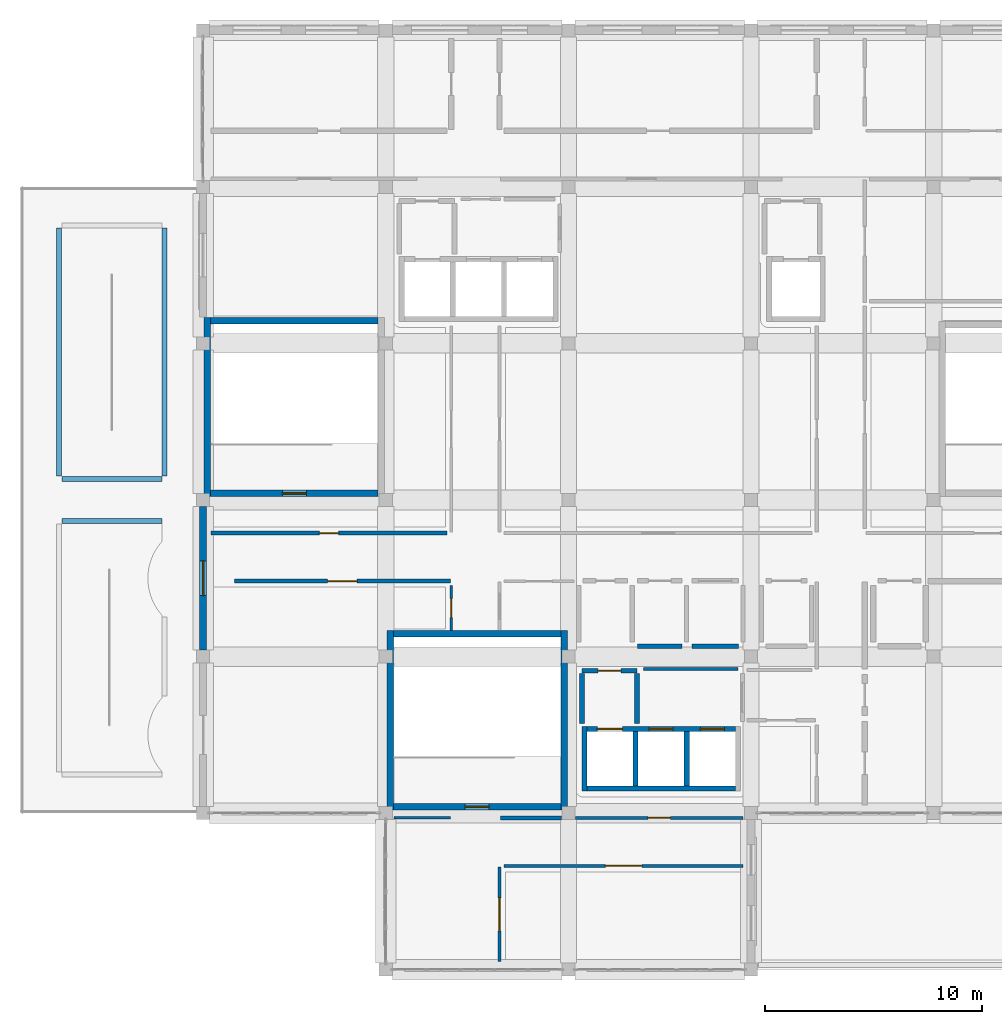
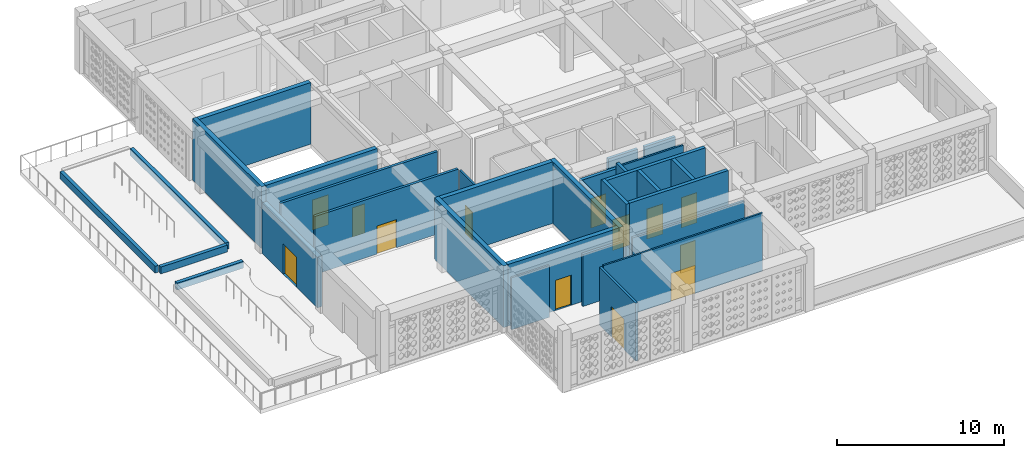
# One storey, part 12 of 28: 31 walls, 13 doors, 13 openings.
"""IFC4 building model written with IfcOpenShell, lengths in metres."""

import ifcopenshell
import ifcopenshell.guid

model = None  # the IFC model being written
_history = None  # IfcOwnerHistory: only IFC2X3 demands one
_inside = {}  # id of a spatial element -> (the spatial element, [elements in it])
_under = {}  # id of a project, library or spatial element -> (it, [spatial elements below it])
_declared = {}  # id of a project -> (the project, [libraries it declares])
_typed = {}  # id of a type object -> (the type object, [elements of that type])
_made_of = {}  # id of a material, layer set ... -> (it, [elements and type objects made of it])


def new_model(schema):
    """Start an empty IFC model of exactly this schema.

    Asked for "IFC4X3", IfcOpenShell would pick the latest addendum, in which some entities
    have other attributes; the version numbers below select the first issue.
    IFC2X3 requires an IfcOwnerHistory on every rooted entity: one is made here for all.
    """
    global model, _history
    if schema == "IFC4X3":
        model = ifcopenshell.file(schema_version=(4, 3, 0, 0))
    else:
        model = ifcopenshell.file(schema=schema)
    _inside.clear()
    _under.clear()
    _declared.clear()
    _typed.clear()
    _made_of.clear()
    _history = None
    if model.schema == "IFC2X3":
        org = make("IfcOrganization", Name="unknown")
        user = make(
            "IfcPersonAndOrganization",
            ThePerson=make("IfcPerson", FamilyName="unknown"),
            TheOrganization=org,
        )
        app = make(
            "IfcApplication",
            ApplicationDeveloper=org,
            Version="unknown",
            ApplicationFullName="unknown",
            ApplicationIdentifier="unknown",
        )
        _history = make(
            "IfcOwnerHistory",
            OwningUser=user,
            OwningApplication=app,
            ChangeAction="ADDED",
            CreationDate=0,
        )
    return model


def make(cls, **values):
    """One entity of the class cls with the attributes given. An attribute that is None is left unset."""
    return model.create_entity(
        cls, **{name: value for name, value in values.items() if value is not None}
    )


def rooted(cls, **values):
    """An entity with a GlobalId (a new one), such as an element, a storey or a relation."""
    return make(cls, GlobalId=ifcopenshell.guid.new(), OwnerHistory=_history, **values)


def si_unit(unit_type, name, prefix=None):
    """IfcSIUnit, for example si_unit("LENGTHUNIT", "METRE", prefix="MILLI")."""
    return make("IfcSIUnit", UnitType=unit_type, Prefix=prefix, Name=name)


def derived_unit(unit_type, elements):
    """IfcDerivedUnit: a product of units, each with its exponent."""
    return make(
        "IfcDerivedUnit",
        Elements=[
            make("IfcDerivedUnitElement", Unit=unit, Exponent=power)
            for unit, power in elements
        ],
        UnitType=unit_type,
    )


def assignment(units):
    """IfcUnitAssignment: the units of a project."""
    return None if units is None else make("IfcUnitAssignment", Units=units)


def point(xyz):
    """IfcCartesianPoint."""
    return None if xyz is None else make("IfcCartesianPoint", Coordinates=xyz)


def direction(xyz):
    """IfcDirection."""
    return None if xyz is None else make("IfcDirection", DirectionRatios=xyz)


def frame(location, z_axis=None, x_axis=None):
    """IfcAxis2Placement3D, a coordinate frame: its origin and axes. An axis left out is left unset."""
    return make(
        "IfcAxis2Placement3D",
        Location=point(location),
        Axis=direction(z_axis),
        RefDirection=direction(x_axis),
    )


def frame_2d(location, x_axis=None):
    """IfcAxis2Placement2D, a coordinate frame in the plane: its origin and x axis."""
    return make(
        "IfcAxis2Placement2D", Location=point(location), RefDirection=direction(x_axis)
    )


def origin():
    """The frame at (0, 0, 0) with its axes left unset."""
    return frame((0.0, 0.0, 0.0))


def place(relative_to, where):
    """IfcLocalPlacement: puts the frame where relative to a parent placement (None: the world)."""
    return make(
        "IfcLocalPlacement", PlacementRelTo=relative_to, RelativePlacement=where
    )


def context(
    kind, dimensions, precision=None, world=None, true_north=None, identifier=None
):
    """IfcGeometricRepresentationContext, for example the 3D "Model" context."""
    return make(
        "IfcGeometricRepresentationContext",
        ContextIdentifier=identifier,
        ContextType=kind,
        CoordinateSpaceDimension=dimensions,
        Precision=precision,
        WorldCoordinateSystem=world,
        TrueNorth=true_north,
    )


def subcontext(parent, identifier, kind, view, scale=None):
    """IfcGeometricRepresentationSubContext, for example "Body" below "Model"."""
    return make(
        "IfcGeometricRepresentationSubContext",
        ContextIdentifier=identifier,
        ContextType=kind,
        ParentContext=parent,
        TargetScale=scale,
        TargetView=view,
    )


def project(units=None, contexts=None):
    """IfcProject with its units and contexts."""
    return rooted(
        "IfcProject",
        Name="project",
        RepresentationContexts=contexts,
        UnitsInContext=assignment(units),
    )


def spatial(cls, under=None, at=None, **own):
    """A site, building, storey or space (cls), placed at a placement, below another one or the project."""
    s = rooted(cls, ObjectPlacement=at, **own)
    if under is not None:
        _under.setdefault(under.id(), (under, []))[1].append(s)
    return s


def profile(cls, at=None, kind="AREA", **sizes):
    """A parametric profile (cls). Its sizes go by their IFC names, for example OverallWidth=200.0."""
    return make(cls, ProfileType=kind, Position=at, **sizes)


def rectangle(**sizes):
    """IfcRectangleProfileDef."""
    return profile("IfcRectangleProfileDef", **sizes)


def extrude(swept, where, along, depth):
    """IfcExtrudedAreaSolid: the profile swept, set in the frame where, extruded along a direction by depth."""
    return make(
        "IfcExtrudedAreaSolid",
        SweptArea=swept,
        Position=where,
        ExtrudedDirection=direction(along),
        Depth=depth,
    )


def shape(context_of_items, identifier, shape_type, items):
    """IfcShapeRepresentation: the items that make up one representation, for example the "Body"."""
    return make(
        "IfcShapeRepresentation",
        ContextOfItems=context_of_items,
        RepresentationIdentifier=identifier,
        RepresentationType=shape_type,
        Items=items,
    )


def material(Name=None, Category=None):
    """IfcMaterial."""
    return make("IfcMaterial", Name=Name, Category=Category)


def layer(
    of_material, thickness, ventilated=None, Name=None, Category=None, Priority=None
):
    """IfcMaterialLayer: one layer of a wall or slab, of a material (None: an air gap)."""
    return make(
        "IfcMaterialLayer",
        Material=of_material,
        LayerThickness=thickness,
        IsVentilated=ventilated,
        Name=Name,
        Category=Category,
        Priority=Priority,
    )


def layer_set(layers, Name=None):
    """IfcMaterialLayerSet."""
    return make("IfcMaterialLayerSet", MaterialLayers=layers, LayerSetName=Name)


def made_of(thing, what):
    """Note that an element or type object is made of a material, layer set ...; save() writes the relation."""
    if what is not None:
        _made_of.setdefault(what.id(), (what, []))[1].append(thing)
    return thing


def type_object(cls, material=None, **own):
    """A type object (cls), such as IfcWallType, which elements share."""
    return made_of(rooted(cls, **own), material)


def element(
    cls,
    number,
    at=None,
    inside=None,
    cuts=None,
    type_object=None,
    material=None,
    context=None,
    identifier="Body",
    shape_type=None,
    held_by="IfcProductDefinitionShape",
    body=None,
    shapes=None,
    **own,
):
    """One element of the class cls, such as IfcWall. Its Tag is "e" and its number.

    at: its placement. inside: the storey or other place that contains it. cuts: it is an
    opening in that element (IfcRelVoidsElement). A single representation is given by context,
    identifier, shape_type and body (its items); several are given by shapes. held_by: the class
    of the entity that holds the representations. save() writes the other relations.
    """
    e = rooted(cls, Tag="e%d" % number, ObjectPlacement=at, **own)
    if body is not None:
        shapes = [shape(context, identifier, shape_type, body)]
    if shapes is not None:
        e.Representation = make(held_by, Representations=shapes)
    if inside is not None:
        _inside.setdefault(inside.id(), (inside, []))[1].append(e)
    if cuts is not None:
        rooted(
            "IfcRelVoidsElement", RelatingBuildingElement=cuts, RelatedOpeningElement=e
        )
    if type_object is not None:
        _typed.setdefault(type_object.id(), (type_object, []))[1].append(e)
    return made_of(e, material)


def fill(opening, filler):
    """IfcRelFillsElement: the door or window that sits in an opening."""
    return rooted(
        "IfcRelFillsElement",
        RelatingOpeningElement=opening,
        RelatedBuildingElement=filler,
    )


def aggregate(whole, parts):
    """IfcRelAggregates: a whole, such as a stair, and the parts it consists of."""
    return rooted("IfcRelAggregates", RelatingObject=whole, RelatedObjects=parts)


def save(model, path):
    """Write the relations noted so far, then the file.

    IfcRelAggregates (storeys below a building ...), IfcRelContainedInSpatialStructure (elements
    in a storey), IfcRelDefinesByType, IfcRelAssociatesMaterial and IfcRelDeclares: one each for
    every whole, place, type object, material and project.
    """
    for whole, parts in _under.values():
        aggregate(whole, parts)
    for where, things in _inside.values():
        rooted(
            "IfcRelContainedInSpatialStructure",
            RelatedElements=things,
            RelatingStructure=where,
        )
    for kind, things in _typed.values():
        rooted("IfcRelDefinesByType", RelatedObjects=things, RelatingType=kind)
    for what, things in _made_of.values():
        rooted("IfcRelAssociatesMaterial", RelatedObjects=things, RelatingMaterial=what)
    for by, libraries in _declared.values():
        rooted("IfcRelDeclares", RelatingContext=by, RelatedDefinitions=libraries)
    model.write(path)


model = new_model("IFC4")

# Units and contexts
model_context = context("Model", 3, precision=1e-05, world=origin(), true_north=direction((0.0, 1.0)))
body_context = subcontext(model_context, "Body", "Model", "MODEL_VIEW")
ifc_project = project(units=[si_unit("LENGTHUNIT", "METRE"), si_unit("AREAUNIT", "SQUARE_METRE"), si_unit("VOLUMEUNIT", "CUBIC_METRE"), si_unit("PLANEANGLEUNIT", "RADIAN"), si_unit("MASSUNIT", "GRAM", prefix="KILO"), derived_unit("THERMALTRANSMITTANCEUNIT", [(si_unit("POWERUNIT", "WATT"), 1), (si_unit("LENGTHUNIT", "METRE"), -2), (si_unit("THERMODYNAMICTEMPERATUREUNIT", "KELVIN"), -1)])], contexts=[model_context])

# Site, building, storey
site_placement = place(None, origin())
site = spatial("IfcSite", under=ifc_project, at=site_placement, CompositionType="ELEMENT")
building_placement = place(site_placement, origin())
building = spatial("IfcBuilding", under=site, at=building_placement, Name="Veybourne Emporium", CompositionType="ELEMENT")
storey_placement = place(building_placement, frame((0.0, 0.0, 32.10009765625)))
storey = spatial("IfcBuildingStorey", under=building, at=storey_placement, Name="L07", CompositionType="ELEMENT", Elevation=32.10009765625)

# Wall, opening, door
ifc_material_1 = material(Name="Portland Limestone Ashlar", Category="masonry")
ifc_layer_1 = layer(ifc_material_1, 0.330078125)
ifc_layer_set_1 = layer_set([ifc_layer_1], Name="Portland Limestone Ashlar")
wall_type_1 = type_object("IfcWallType", Name="ExtWall_EW-04", PredefinedType="SOLIDWALL", material=ifc_layer_set_1)
wall_1_placement = place(storey_placement, frame((8.39990234375, 21.89990234375, 0.0), z_axis=(0.0, 0.0, 1.0), x_axis=(0.0, 1.0, 0.0)))
wall_1 = element("IfcWall", 1, at=wall_1_placement, inside=storey, type_object=wall_type_1, Name="L07 terrace facade wall 003", PredefinedType="SOLIDWALL", context=body_context, shape_type="SweptSolid", body=[
    extrude(rectangle(XDim=6.60009765625, YDim=0.330078125, at=frame_2d((3.300048828125, 0.0))), origin(), (0.0, 0.0, 1.0), 3.68994140625),
])
opening_1_placement = place(wall_1_placement, frame((2.5, 0.0, 0.0)))
opening_1 = element("IfcOpeningElement", 2, at=opening_1_placement, cuts=wall_1, Name="Opening TD-02", PredefinedType="OPENING", context=body_context, shape_type="SweptSolid", body=[
    extrude(rectangle(XDim=1.60009765625, YDim=2.199951171875, at=frame_2d((0.800048828125, 1.10009765625))), frame((0.0, 0.18505859375, 0.0), z_axis=(0.0, -1.0, 0.0), x_axis=(1.0, 0.0, 0.0)), (0.0, 0.0, 1.0), 0.3701171875),
])
ifc_material_2 = material(Name="Patinated Architectural Bronze", Category="bronze")
door_type_1 = type_object("IfcDoorType", Name="TerrDoor_TD-02", OperationType="NOTDEFINED", PredefinedType="DOOR", material=ifc_material_2)
door_1_placement = place(opening_1_placement, origin())
door_1 = element("IfcDoor", 3, at=door_1_placement, inside=storey, type_object=door_type_1, Name="L07 roof-garden terrace door 02", OperationType="SINGLE_SWING_LEFT", OverallHeight=2.199951171875, OverallWidth=1.60009765625, PredefinedType="DOOR", context=body_context, shape_type="SweptSolid", body=[
    extrude(rectangle(XDim=1.60009765625, YDim=2.199951171875, at=frame_2d((0.800048828125, 1.10009765625))), frame((0.0, 0.02490234375, 0.0), z_axis=(0.0, -1.0, 0.0), x_axis=(1.0, 0.0, 0.0)), (0.0, 0.0, 1.0), 0.050048828125),
])
fill(opening_1, door_1)

# Walls
ifc_material_3 = material(Name="Precast concrete C40/50", Category="concrete")
ifc_layer_2 = layer(ifc_material_3, 0.239990234375)
ifc_layer_set_2 = layer_set([ifc_layer_2], Name="Precast concrete C40/50")
wall_type_2 = type_object("IfcWallType", Name="ExtWall_PW-02", PredefinedType="PARAPET", material=ifc_layer_set_2)
wall_2_placement = place(storey_placement, frame((6.6298828125, 41.300048828125, 0.0), z_axis=(0.0, 0.0, 1.0), x_axis=(0.0, -1.0, 0.0)))
element("IfcWall", 4, at=wall_2_placement, inside=storey, type_object=wall_type_2, Name="L07 planted roof-garden kerb 001", PredefinedType="PARAPET", context=body_context, shape_type="SweptSolid", body=[
    extrude(rectangle(XDim=11.400146484375, YDim=0.239990234375, at=frame_2d((5.7001953125, 0.0))), origin(), (0.0, 0.0, 1.0), 0.5),
])
wall_3_placement = place(storey_placement, frame((6.5, 29.77001953125, 0.0), z_axis=(0.0, 0.0, 1.0), x_axis=(-1.0, 0.0, 0.0)))
element("IfcWall", 5, at=wall_3_placement, inside=storey, type_object=wall_type_2, Name="L07 planted roof-garden kerb 002", PredefinedType="PARAPET", context=body_context, shape_type="SweptSolid", body=[
    extrude(rectangle(XDim=4.60009765625, YDim=0.239990234375, at=frame_2d((2.300048828125, 0.0))), origin(), (0.0, 0.0, 1.0), 0.5),
])
wall_4_placement = place(storey_placement, frame((1.77001953125, 29.89990234375, 0.0), z_axis=(0.0, 0.0, 1.0), x_axis=(0.0, 1.0, 0.0)))
element("IfcWall", 6, at=wall_4_placement, inside=storey, type_object=wall_type_2, Name="L07 planted roof-garden kerb 003", PredefinedType="PARAPET", context=body_context, shape_type="SweptSolid", body=[
    extrude(rectangle(XDim=11.400146484375, YDim=0.239990234375, at=frame_2d((5.7001953125, 0.0))), origin(), (0.0, 0.0, 1.0), 0.5),
])
wall_5_placement = place(storey_placement, frame((1.89990234375, 27.830078125, 0.0), z_axis=(0.0, 0.0, 1.0), x_axis=(1.0, 0.0, 0.0)))
element("IfcWall", 7, at=wall_5_placement, inside=storey, type_object=wall_type_2, Name="L07 planted roof-garden kerb 007", PredefinedType="PARAPET", context=body_context, shape_type="SweptSolid", body=[
    extrude(rectangle(XDim=4.60009765625, YDim=0.239990234375, at=frame_2d((2.300048828125, 0.0))), origin(), (0.0, 0.0, 1.0), 0.5),
])

# Wall, opening, door
ifc_material_4 = material(Name="Concrete C40/50", Category="concrete")
ifc_layer_3 = layer(ifc_material_4, 0.300048828125)
ifc_layer_set_3 = layer_set([ifc_layer_3], Name="Concrete C40/50")
wall_type_3 = type_object("IfcWallType", Name="IntWall_CW-03", PredefinedType="SHEAR", material=ifc_layer_set_3)
wall_6_placement = place(storey_placement, frame((24.85009765625, 14.699951171875, 0.0), z_axis=(0.0, 0.0, 1.0), x_axis=(-1.0, 0.0, 0.0)))
wall_6 = element("IfcWall", 8, at=wall_6_placement, inside=storey, type_object=wall_type_3, Name="Core stair ST-01 south shear wall (L07)", PredefinedType="SHEAR", context=body_context, shape_type="SweptSolid", body=[
    extrude(rectangle(XDim=7.7001953125, YDim=0.300048828125, at=frame_2d((3.85009765625, 0.0))), origin(), (0.0, 0.0, 1.0), 4.5),
])
opening_2_placement = place(wall_6_placement, frame((3.300048828125, 0.0, 0.0)))
opening_2 = element("IfcOpeningElement", 9, at=opening_2_placement, cuts=wall_6, Name="Opening FD-01", PredefinedType="OPENING", context=body_context, shape_type="SweptSolid", body=[
    extrude(rectangle(XDim=1.10009765625, YDim=2.199951171875, at=frame_2d((0.550048828125, 1.10009765625))), frame((0.0, 0.169921875, 0.0), z_axis=(0.0, -1.0, 0.0), x_axis=(1.0, 0.0, 0.0)), (0.0, 0.0, 1.0), 0.340087890625),
])
door_type_2 = type_object("IfcDoorType", Name="FireDoor_FD-01", OperationType="NOTDEFINED", PredefinedType="DOOR", material=ifc_material_2)
door_2_placement = place(opening_2_placement, origin())
door_2 = element("IfcDoor", 10, at=door_2_placement, inside=storey, type_object=door_type_2, Name="Stair ST-01 fire door (L07)", OperationType="SINGLE_SWING_RIGHT", OverallHeight=2.199951171875, OverallWidth=1.10009765625, PredefinedType="DOOR", context=body_context, shape_type="SweptSolid", body=[
    extrude(rectangle(XDim=1.10009765625, YDim=2.199951171875, at=frame_2d((0.550048828125, 1.10009765625))), frame((0.0, 0.02490234375, 0.0), z_axis=(0.0, -1.0, 0.0), x_axis=(1.0, 0.0, 0.0)), (0.0, 0.0, 1.0), 0.050048828125),
])
fill(opening_2, door_2)

# Walls
wall_7_placement = place(storey_placement, frame((17.14990234375, 22.64990234375, 0.0), z_axis=(0.0, 0.0, 1.0), x_axis=(1.0, 0.0, 0.0)))
element("IfcWall", 11, at=wall_7_placement, inside=storey, type_object=wall_type_3, Name="Core stair ST-01 north shear wall (L07)", PredefinedType="SHEAR", context=body_context, shape_type="SweptSolid", body=[
    extrude(rectangle(XDim=7.7001953125, YDim=0.300048828125, at=frame_2d((3.85009765625, 0.0))), origin(), (0.0, 0.0, 1.0), 4.5),
])
for number, where, z_axis, x_axis, name in (
    (12, (17.0, 22.800048828125, 0.0), (0.0, 0.0, 1.0), (0.0, -1.0, 0.0), "Core stair ST-01 west shear wall (L07)"),
    (13, (25.0, 14.550048828125, 0.0), (0.0, 0.0, 1.0), (0.0, 1.0, 0.0), "Core stair ST-01 east shear wall (L07)"),
):
    element("IfcWall", number, at=place(storey_placement, frame(where, z_axis=z_axis, x_axis=x_axis)), inside=storey, type_object=wall_type_3, Name=name, PredefinedType="SHEAR", context=body_context, shape_type="SweptSolid", body=[
        extrude(rectangle(XDim=8.25, YDim=0.300048828125, at=frame_2d((4.125, 0.0))), origin(), (0.0, 0.0, 1.0), 4.5),
    ])

# Wall, opening, door
wall_8_placement = place(storey_placement, frame((16.449951171875, 29.10009765625, 0.0), z_axis=(0.0, 0.0, 1.0), x_axis=(-1.0, 0.0, 0.0)))
wall_8 = element("IfcWall", 14, at=wall_8_placement, inside=storey, type_object=wall_type_3, Name="Core stair ST-02 south shear wall (L07)", PredefinedType="SHEAR", context=body_context, shape_type="SweptSolid", body=[
    extrude(rectangle(XDim=7.699951171875, YDim=0.300048828125, at=frame_2d((3.85009765625, 0.0))), origin(), (0.0, 0.0, 1.0), 4.5),
])
opening_3_placement = place(wall_8_placement, frame((3.300048828125, 0.0, 0.0)))
opening_3 = element("IfcOpeningElement", 15, at=opening_3_placement, cuts=wall_8, Name="Opening FD-01", PredefinedType="OPENING", context=body_context, shape_type="SweptSolid", body=[
    extrude(rectangle(XDim=1.10009765625, YDim=2.199951171875, at=frame_2d((0.550048828125, 1.10009765625))), frame((0.0, 0.169921875, 0.0), z_axis=(0.0, -1.0, 0.0), x_axis=(1.0, 0.0, 0.0)), (0.0, 0.0, 1.0), 0.340087890625),
])
door_3_placement = place(opening_3_placement, origin())
door_3 = element("IfcDoor", 16, at=door_3_placement, inside=storey, type_object=door_type_2, Name="Stair ST-02 fire door (L07)", OperationType="SINGLE_SWING_LEFT", OverallHeight=2.199951171875, OverallWidth=1.10009765625, PredefinedType="DOOR", context=body_context, shape_type="SweptSolid", body=[
    extrude(rectangle(XDim=1.10009765625, YDim=2.199951171875, at=frame_2d((0.550048828125, 1.10009765625))), frame((0.0, 0.02490234375, 0.0), z_axis=(0.0, -1.0, 0.0), x_axis=(1.0, 0.0, 0.0)), (0.0, 0.0, 1.0), 0.050048828125),
])
fill(opening_3, door_3)

# Walls
wall_9_placement = place(storey_placement, frame((8.75, 37.050048828125, 0.0), z_axis=(0.0, 0.0, 1.0), x_axis=(1.0, 0.0, 0.0)))
element("IfcWall", 17, at=wall_9_placement, inside=storey, type_object=wall_type_3, Name="Core stair ST-02 north shear wall (L07)", PredefinedType="SHEAR", context=body_context, shape_type="SweptSolid", body=[
    extrude(rectangle(XDim=7.699951171875, YDim=0.300048828125, at=frame_2d((3.85009765625, 0.0))), origin(), (0.0, 0.0, 1.0), 4.5),
])
wall_10_placement = place(storey_placement, frame((8.60009765625, 37.199951171875, 0.0), z_axis=(0.0, 0.0, 1.0), x_axis=(0.0, -1.0, 0.0)))
element("IfcWall", 18, at=wall_10_placement, inside=storey, type_object=wall_type_3, Name="Core stair ST-02 west shear wall (L07)", PredefinedType="SHEAR", context=body_context, shape_type="SweptSolid", body=[
    extrude(rectangle(XDim=8.25, YDim=0.300048828125, at=frame_2d((4.125, 0.0))), origin(), (0.0, 0.0, 1.0), 4.5),
])

# Wall, openings, doors
ifc_layer_4 = layer(ifc_material_4, 0.239990234375)
ifc_layer_set_4 = layer_set([ifc_layer_4], Name="Concrete C40/50")
wall_type_4 = type_object("IfcWallType", Name="IntWall_CW-04", PredefinedType="SHEAR", material=ifc_layer_set_4)
wall_11_placement = place(storey_placement, frame((32.8798828125, 18.27001953125, 0.0), z_axis=(0.0, 0.0, 1.0), x_axis=(-1.0, 0.0, 0.0)))
wall_11 = element("IfcWall", 19, at=wall_11_placement, inside=storey, type_object=wall_type_4, Name="Lift core C1 north shaft wall (L07)", PredefinedType="SHEAR", context=body_context, shape_type="SweptSolid", body=[
    extrude(rectangle(XDim=6.81982421875, YDim=0.239990234375, at=frame_2d((3.409912109375, 0.0))), origin(), (0.0, 0.0, 1.0), 5.349853515625),
])
opening_4_placement = place(wall_11_placement, frame((5.195068359375, 0.0, 0.0)))
opening_4 = element("IfcOpeningElement", 20, at=opening_4_placement, cuts=wall_11, Name="Opening LD-02", PredefinedType="OPENING", context=body_context, shape_type="SweptSolid", body=[
    extrude(rectangle(XDim=1.14990234375, YDim=2.25, at=frame_2d((0.574951171875, 1.125))), frame((0.0, 0.14013671875, 0.0), z_axis=(0.0, -1.0, 0.0), x_axis=(1.0, 0.0, 0.0)), (0.0, 0.0, 1.0), 0.280029296875),
])
opening_5_placement = place(wall_11_placement, frame((2.8701171875, 0.0, 0.0)))
opening_5 = element("IfcOpeningElement", 21, at=opening_5_placement, cuts=wall_11, Name="Opening LD-01", PredefinedType="OPENING", context=body_context, shape_type="SweptSolid", body=[
    extrude(rectangle(XDim=1.10009765625, YDim=2.199951171875, at=frame_2d((0.550048828125, 1.10009765625))), frame((0.0, 0.14013671875, 0.0), z_axis=(0.0, -1.0, 0.0), x_axis=(1.0, 0.0, 0.0)), (0.0, 0.0, 1.0), 0.280029296875),
])
opening_6_placement = place(wall_11_placement, frame((0.510009765625, 0.0, 0.0)))
opening_6 = element("IfcOpeningElement", 22, at=opening_6_placement, cuts=wall_11, Name="Opening LD-01", PredefinedType="OPENING", context=body_context, shape_type="SweptSolid", body=[
    extrude(rectangle(XDim=1.10009765625, YDim=2.199951171875, at=frame_2d((0.550048828125, 1.10009765625))), frame((0.0, 0.14013671875, 0.0), z_axis=(0.0, -1.0, 0.0), x_axis=(1.0, 0.0, 0.0)), (0.0, 0.0, 1.0), 0.280029296875),
])
door_type_3 = type_object("IfcDoorType", Name="FireDoor_LD-01", OperationType="DOUBLE_DOOR_SLIDING", PredefinedType="DOOR", material=ifc_material_2)
door_4_placement = place(opening_5_placement, origin())
door_4 = element("IfcDoor", 23, at=door_4_placement, inside=storey, type_object=door_type_3, Name="Lift PL-01 sliding landing door (L07)", OperationType="DOUBLE_DOOR_SLIDING", OverallHeight=2.199951171875, OverallWidth=1.10009765625, PredefinedType="DOOR", context=body_context, shape_type="SweptSolid", body=[
    extrude(rectangle(XDim=1.10009765625, YDim=2.199951171875, at=frame_2d((0.550048828125, 1.10009765625))), frame((0.0, 0.02490234375, 0.0), z_axis=(0.0, -1.0, 0.0), x_axis=(1.0, 0.0, 0.0)), (0.0, 0.0, 1.0), 0.050048828125),
])
fill(opening_5, door_4)
door_5_placement = place(opening_6_placement, origin())
door_5 = element("IfcDoor", 24, at=door_5_placement, inside=storey, type_object=door_type_3, Name="Lift PL-02 sliding landing door (L07)", OperationType="DOUBLE_DOOR_SLIDING", OverallHeight=2.199951171875, OverallWidth=1.10009765625, PredefinedType="DOOR", context=body_context, shape_type="SweptSolid", body=[
    extrude(rectangle(XDim=1.10009765625, YDim=2.199951171875, at=frame_2d((0.550048828125, 1.10009765625))), frame((0.0, 0.02490234375, 0.0), z_axis=(0.0, -1.0, 0.0), x_axis=(1.0, 0.0, 0.0)), (0.0, 0.0, 1.0), 0.050048828125),
])
fill(opening_6, door_5)
door_type_4 = type_object("IfcDoorType", Name="FireDoor_LD-02", OperationType="SLIDING_TO_LEFT", PredefinedType="DOOR", material=ifc_material_2)
door_6_placement = place(opening_4_placement, origin())
door_6 = element("IfcDoor", 25, at=door_6_placement, inside=storey, type_object=door_type_4, Name="Lift FFL-01 sliding landing door (L07)", OperationType="SLIDING_TO_LEFT", OverallHeight=2.25, OverallWidth=1.14990234375, PredefinedType="DOOR", context=body_context, shape_type="SweptSolid", body=[
    extrude(rectangle(XDim=1.14990234375, YDim=2.25, at=frame_2d((0.574951171875, 1.125))), frame((0.0, 0.02490234375, 0.0), z_axis=(0.0, -1.0, 0.0), x_axis=(1.0, 0.0, 0.0)), (0.0, 0.0, 1.0), 0.050048828125),
])
fill(opening_4, door_6)

# Walls
wall_12_placement = place(storey_placement, frame((26.06005859375, 15.530029296875, 0.0), z_axis=(0.0, 0.0, 1.0), x_axis=(1.0, 0.0, 0.0)))
element("IfcWall", 26, at=wall_12_placement, inside=storey, type_object=wall_type_4, Name="Lift core C1 south shaft wall (L07)", PredefinedType="SHEAR", context=body_context, shape_type="SweptSolid", body=[
    extrude(rectangle(XDim=6.81982421875, YDim=0.239990234375, at=frame_2d((3.409912109375, 0.0))), origin(), (0.0, 0.0, 1.0), 5.349853515625),
])
wall_13_placement = place(storey_placement, frame((25.93994140625, 18.389892578125, 0.0), z_axis=(0.0, 0.0, 1.0), x_axis=(0.0, -1.0, 0.0)))
element("IfcWall", 27, at=wall_13_placement, inside=storey, type_object=wall_type_4, Name="Lift core C1 west shaft wall (L07)", PredefinedType="SHEAR", context=body_context, shape_type="SweptSolid", body=[
    extrude(rectangle(XDim=2.97998046875, YDim=0.239990234375, at=frame_2d((1.489990234375, 0.0))), origin(), (0.0, 0.0, 1.0), 5.349853515625),
])
for number, where, z_axis, x_axis, name in (
    (28, (28.280029296875, 15.64990234375, 0.0), (0.0, 0.0, 1.0), (0.0, 1.0, 0.0), "Lift core C1 divider wall 1 (L07)"),
    (29, (30.639892578125, 15.64990234375, 0.0), (0.0, 0.0, 1.0), (0.0, 1.0, 0.0), "Lift core C1 divider wall 2 (L07)"),
):
    element("IfcWall", number, at=place(storey_placement, frame(where, z_axis=z_axis, x_axis=x_axis)), inside=storey, type_object=wall_type_4, Name=name, PredefinedType="SHEAR", context=body_context, shape_type="SweptSolid", body=[
        extrude(rectangle(XDim=2.5, YDim=0.239990234375, at=frame_2d((1.25, 0.0))), origin(), (0.0, 0.0, 1.0), 5.349853515625),
    ])

# Wall, opening, door
ifc_material_5 = material(Name="Concrete C32/40", Category="concrete")
ifc_layer_5 = layer(ifc_material_5, 0.219970703125)
ifc_layer_set_5 = layer_set([ifc_layer_5], Name="Concrete C32/40")
wall_type_5 = type_object("IfcWallType", Name="IntWall_FW-02", PredefinedType="SOLIDWALL", material=ifc_layer_set_5)
wall_14_placement = place(storey_placement, frame((25.820068359375, 20.949951171875, 0.0), z_axis=(0.0, 0.0, 1.0), x_axis=(1.0, 0.0, 0.0)))
wall_14 = element("IfcWall", 30, at=wall_14_placement, inside=storey, type_object=wall_type_5, Name="Firefighting lobby C1 fire wall N (L07)", PredefinedType="SOLIDWALL", context=body_context, shape_type="SweptSolid", body=[
    extrude(rectangle(XDim=2.5400390625, YDim=0.219970703125, at=frame_2d((1.27001953125, 0.0))), origin(), (0.0, 0.0, 1.0), 3.789794921875),
])
opening_7_placement = place(wall_14_placement, frame((0.7451171875, 0.0, 0.0)))
opening_7 = element("IfcOpeningElement", 31, at=opening_7_placement, cuts=wall_14, Name="Opening FD-02", PredefinedType="OPENING", context=body_context, shape_type="SweptSolid", body=[
    extrude(rectangle(XDim=1.050048828125, YDim=2.14990234375, at=frame_2d((0.52490234375, 1.074951171875))), frame((0.0, 0.1298828125, 0.0), z_axis=(0.0, -1.0, 0.0), x_axis=(1.0, 0.0, 0.0)), (0.0, 0.0, 1.0), 0.260009765625),
])
door_type_5 = type_object("IfcDoorType", Name="FireDoor_FD-02", OperationType="NOTDEFINED", PredefinedType="DOOR", material=ifc_material_2)
door_7_placement = place(opening_7_placement, origin())
door_7 = element("IfcDoor", 32, at=door_7_placement, inside=storey, type_object=door_type_5, Name="Firefighting lobby C1 FD60S door N (L07)", OperationType="SINGLE_SWING_RIGHT", OverallHeight=2.14990234375, OverallWidth=1.050048828125, PredefinedType="DOOR", context=body_context, shape_type="SweptSolid", body=[
    extrude(rectangle(XDim=1.050048828125, YDim=2.14990234375, at=frame_2d((0.52490234375, 1.074951171875))), frame((0.0, 0.02490234375, 0.0), z_axis=(0.0, -1.0, 0.0), x_axis=(1.0, 0.0, 0.0)), (0.0, 0.0, 1.0), 0.050048828125),
])
fill(opening_7, door_7)

# Walls
wall_15_placement = place(storey_placement, frame((25.820068359375, 18.510009765625, 0.0), z_axis=(0.0, 0.0, 1.0), x_axis=(0.0, 1.0, 0.0)))
element("IfcWall", 33, at=wall_15_placement, inside=storey, type_object=wall_type_5, Name="Firefighting lobby C1 fire wall W (L07)", PredefinedType="SOLIDWALL", context=body_context, shape_type="SweptSolid", body=[
    extrude(rectangle(XDim=2.320068359375, YDim=0.219970703125, at=frame_2d((1.16015625, 0.0))), origin(), (0.0, 0.0, 1.0), 3.789794921875),
])
wall_16_placement = place(storey_placement, frame((28.360107421875, 18.510009765625, 0.0), z_axis=(0.0, 0.0, 1.0), x_axis=(0.0, 1.0, 0.0)))
element("IfcWall", 34, at=wall_16_placement, inside=storey, type_object=wall_type_5, Name="Firefighting lobby C1 fire wall E (L07)", PredefinedType="SOLIDWALL", context=body_context, shape_type="SweptSolid", body=[
    extrude(rectangle(XDim=2.320068359375, YDim=0.219970703125, at=frame_2d((1.16015625, 0.0))), origin(), (0.0, 0.0, 1.0), 4.239990234375),
])
ifc_material_6 = material(Name="Gypsum Acoustic Board", Category="gypsum")
ifc_layer_6 = layer(ifc_material_6, 0.179931640625)
ifc_layer_set_6 = layer_set([ifc_layer_6], Name="Gypsum Acoustic Board")
wall_type_6 = type_object("IfcWallType", Name="IntWall_IW-01", PredefinedType="PARTITIONING", material=ifc_layer_set_6)
wall_17_placement = place(storey_placement, frame((22.080078125, 14.179931640625, 0.0), z_axis=(0.0, 0.0, 1.0), x_axis=(1.0, 0.0, 0.0)))
element("IfcWall", 35, at=wall_17_placement, inside=storey, type_object=wall_type_6, Name="L07 interior partition IW-01 #004", PredefinedType="PARTITIONING", context=body_context, shape_type="SweptSolid", body=[
    extrude(rectangle(XDim=2.7998046875, YDim=0.179931640625, at=frame_2d((1.39990234375, 0.0))), origin(), (0.0, 0.0, 1.0), 3.789794921875),
])

# Wall, opening, door
wall_18_placement = place(storey_placement, frame((9.843505859375, 25.070068359375, 0.0), z_axis=(0.0, 0.0, 1.0), x_axis=(1.0, 0.0, 0.0)))
wall_18 = element("IfcWall", 36, at=wall_18_placement, inside=storey, type_object=wall_type_6, Name="L07 interior partition IW-01 #007", PredefinedType="PARTITIONING", context=body_context, shape_type="SweptSolid", body=[
    extrude(rectangle(XDim=9.926513671875, YDim=0.179931640625, at=frame_2d((4.96337890625, 0.0))), origin(), (0.0, 0.0, 1.0), 4.239990234375),
])
opening_8_placement = place(wall_18_placement, frame((4.283203125, 0.0, 0.0)))
opening_8 = element("IfcOpeningElement", 37, at=opening_8_placement, cuts=wall_18, Name="Opening D-04", PredefinedType="OPENING", context=body_context, shape_type="SweptSolid", body=[
    extrude(rectangle(XDim=1.360107421875, YDim=2.050048828125, at=frame_2d((0.68017578125, 1.02490234375))), frame((0.0, 0.10986328125, 0.0), z_axis=(0.0, -1.0, 0.0), x_axis=(1.0, 0.0, 0.0)), (0.0, 0.0, 1.0), 0.219970703125),
])
ifc_material_7 = material(Name="European Oak Veneer and Bronze", Category="wood")
door_type_6 = type_object("IfcDoorType", Name="IntDoor_D-04", OperationType="NOTDEFINED", PredefinedType="DOOR", material=ifc_material_7)
door_8_placement = place(opening_8_placement, origin())
door_8 = element("IfcDoor", 38, at=door_8_placement, inside=storey, type_object=door_type_6, Name="L07 interior door D-04 (PART-L07-007)", OperationType="SINGLE_SWING_RIGHT", OverallHeight=2.050048828125, OverallWidth=1.360107421875, PredefinedType="DOOR", context=body_context, shape_type="SweptSolid", body=[
    extrude(rectangle(XDim=1.360107421875, YDim=2.050048828125, at=frame_2d((0.68017578125, 1.02490234375))), frame((0.0, 0.02490234375, 0.0), z_axis=(0.0, -1.0, 0.0), x_axis=(1.0, 0.0, 0.0)), (0.0, 0.0, 1.0), 0.050048828125),
])
fill(opening_8, door_8)

wall_19_placement = place(storey_placement, frame((8.77001953125, 27.280029296875, 0.0), z_axis=(0.0, 0.0, 1.0), x_axis=(1.0, 0.0, 0.0)))
wall_19 = element("IfcWall", 39, at=wall_19_placement, inside=storey, type_object=wall_type_6, Name="L07 interior partition IW-01 #010", PredefinedType="PARTITIONING", context=body_context, shape_type="SweptSolid", body=[
    extrude(rectangle(XDim=10.840087890625, YDim=0.179931640625, at=frame_2d((5.419921875, 0.0))), origin(), (0.0, 0.0, 1.0), 4.239990234375),
])
opening_9_placement = place(wall_19_placement, frame((4.97998046875, 0.0, 0.0)))
opening_9 = element("IfcOpeningElement", 40, at=opening_9_placement, cuts=wall_19, Name="Opening D-07", PredefinedType="OPENING", context=body_context, shape_type="SweptSolid", body=[
    extrude(rectangle(XDim=0.8798828125, YDim=2.1298828125, at=frame_2d((0.43994140625, 1.06494140625))), frame((0.0, 0.10986328125, 0.0), z_axis=(0.0, -1.0, 0.0), x_axis=(1.0, 0.0, 0.0)), (0.0, 0.0, 1.0), 0.219970703125),
])
door_type_7 = type_object("IfcDoorType", Name="IntDoor_D-07", OperationType="NOTDEFINED", PredefinedType="DOOR", material=ifc_material_7)
door_9_placement = place(opening_9_placement, origin())
door_9 = element("IfcDoor", 41, at=door_9_placement, inside=storey, type_object=door_type_7, Name="L07 interior door D-07 (PART-L07-010)", OperationType="SINGLE_SWING_RIGHT", OverallHeight=2.1298828125, OverallWidth=0.8798828125, PredefinedType="DOOR", context=body_context, shape_type="SweptSolid", body=[
    extrude(rectangle(XDim=0.8798828125, YDim=2.1298828125, at=frame_2d((0.43994140625, 1.06494140625))), frame((0.0, 0.02490234375, 0.0), z_axis=(0.0, -1.0, 0.0), x_axis=(1.0, 0.0, 0.0)), (0.0, 0.0, 1.0), 0.050048828125),
])
fill(opening_9, door_9)

ifc_layer_7 = layer(ifc_material_6, 0.14990234375)
ifc_layer_set_7 = layer_set([ifc_layer_7], Name="Gypsum Acoustic Board")
wall_type_7 = type_object("IfcWallType", Name="IntWall_IW-02", PredefinedType="PARTITIONING", material=ifc_layer_set_7)
wall_20_placement = place(storey_placement, frame((25.52001953125, 14.179931640625, 0.0), z_axis=(0.0, 0.0, 1.0), x_axis=(1.0, 0.0, 0.0)))
wall_20 = element("IfcWall", 42, at=wall_20_placement, inside=storey, type_object=wall_type_7, Name="L07 interior partition IW-02 #005", PredefinedType="PARTITIONING", context=body_context, shape_type="SweptSolid", body=[
    extrude(rectangle(XDim=7.7099609375, YDim=0.14990234375, at=frame_2d((3.85498046875, 0.0))), origin(), (0.0, 0.0, 1.0), 3.789794921875),
])
opening_10_placement = place(wall_20_placement, frame((3.3349609375, 0.0, 0.0)))
opening_10 = element("IfcOpeningElement", 43, at=opening_10_placement, cuts=wall_20, Name="Opening D-02", PredefinedType="OPENING", context=body_context, shape_type="SweptSolid", body=[
    extrude(rectangle(XDim=1.0400390625, YDim=2.050048828125, at=frame_2d((0.52001953125, 1.02490234375))), frame((0.0, 0.094970703125, 0.0), z_axis=(0.0, -1.0, 0.0), x_axis=(1.0, 0.0, 0.0)), (0.0, 0.0, 1.0), 0.18994140625),
])
door_type_8 = type_object("IfcDoorType", Name="IntDoor_D-02", OperationType="NOTDEFINED", PredefinedType="DOOR", material=ifc_material_7)
door_10_placement = place(opening_10_placement, origin())
door_10 = element("IfcDoor", 44, at=door_10_placement, inside=storey, type_object=door_type_8, Name="L07 interior door D-02 (PART-L07-005)", OperationType="SINGLE_SWING_RIGHT", OverallHeight=2.050048828125, OverallWidth=1.0400390625, PredefinedType="DOOR", context=body_context, shape_type="SweptSolid", body=[
    extrude(rectangle(XDim=1.0400390625, YDim=2.050048828125, at=frame_2d((0.52001953125, 1.02490234375))), frame((0.0, 0.02490234375, 0.0), z_axis=(0.0, -1.0, 0.0), x_axis=(1.0, 0.0, 0.0)), (0.0, 0.0, 1.0), 0.050048828125),
])
fill(opening_10, door_10)

wall_21_placement = place(storey_placement, frame((22.030029296875, 7.570068359375, 0.0), z_axis=(0.0, 0.0, 1.0), x_axis=(0.0, 1.0, 0.0)))
wall_21 = element("IfcWall", 45, at=wall_21_placement, inside=storey, type_object=wall_type_7, Name="L07 interior partition IW-02 #020", PredefinedType="PARTITIONING", context=body_context, shape_type="SweptSolid", body=[
    extrude(rectangle(XDim=4.349853515625, YDim=0.14990234375, at=frame_2d((2.1748046875, 0.0))), origin(), (0.0, 0.0, 1.0), 4.239990234375),
])
opening_11_placement = place(wall_21_placement, frame((1.4150390625, 0.0, 0.0)))
opening_11 = element("IfcOpeningElement", 46, at=opening_11_placement, cuts=wall_21, Name="Opening D-17", PredefinedType="OPENING", context=body_context, shape_type="SweptSolid", body=[
    extrude(rectangle(XDim=1.52001953125, YDim=2.2099609375, at=frame_2d((0.760009765625, 1.10498046875))), frame((0.0, 0.094970703125, 0.0), z_axis=(0.0, -1.0, 0.0), x_axis=(1.0, 0.0, 0.0)), (0.0, 0.0, 1.0), 0.18994140625),
])
door_type_9 = type_object("IfcDoorType", Name="IntDoor_D-17", OperationType="NOTDEFINED", PredefinedType="DOOR", material=ifc_material_7)
door_11_placement = place(opening_11_placement, origin())
door_11 = element("IfcDoor", 47, at=door_11_placement, inside=storey, type_object=door_type_9, Name="L07 interior door D-17 (PART-L07-020)", OperationType="SINGLE_SWING_LEFT", OverallHeight=2.2099609375, OverallWidth=1.52001953125, PredefinedType="DOOR", context=body_context, shape_type="SweptSolid", body=[
    extrude(rectangle(XDim=1.52001953125, YDim=2.2099609375, at=frame_2d((0.760009765625, 1.10498046875))), frame((0.0, 0.02490234375, 0.0), z_axis=(0.0, -1.0, 0.0), x_axis=(1.0, 0.0, 0.0)), (0.0, 0.0, 1.0), 0.050048828125),
])
fill(opening_11, door_11)

ifc_layer_8 = layer(ifc_material_6, 0.1201171875)
ifc_layer_set_8 = layer_set([ifc_layer_8], Name="Gypsum Acoustic Board")
wall_type_8 = type_object("IfcWallType", Name="IntWall_IW-03", PredefinedType="PARTITIONING", material=ifc_layer_set_8)
wall_22_placement = place(storey_placement, frame((22.239990234375, 11.969970703125, 0.0), z_axis=(0.0, 0.0, 1.0), x_axis=(1.0, 0.0, 0.0)))
wall_22 = element("IfcWall", 48, at=wall_22_placement, inside=storey, type_object=wall_type_8, Name="L07 interior partition IW-03 #009", PredefinedType="PARTITIONING", context=body_context, shape_type="SweptSolid", body=[
    extrude(rectangle(XDim=10.989990234375, YDim=0.1201171875, at=frame_2d((5.4951171875, 0.0))), origin(), (0.0, 0.0, 1.0), 4.239990234375),
])
opening_12_placement = place(wall_22_placement, frame((4.655029296875, 0.0, 0.0)))
opening_12 = element("IfcOpeningElement", 49, at=opening_12_placement, cuts=wall_22, Name="Opening D-06", PredefinedType="OPENING", context=body_context, shape_type="SweptSolid", body=[
    extrude(rectangle(XDim=1.679931640625, YDim=2.050048828125, at=frame_2d((0.83984375, 1.02490234375))), frame((0.0, 0.080078125, 0.0), z_axis=(0.0, -1.0, 0.0), x_axis=(1.0, 0.0, 0.0)), (0.0, 0.0, 1.0), 0.16015625),
])
door_type_10 = type_object("IfcDoorType", Name="IntDoor_D-06", OperationType="DOUBLE_DOOR_SINGLE_SWING", PredefinedType="DOOR", material=ifc_material_7)
door_12_placement = place(opening_12_placement, origin())
door_12 = element("IfcDoor", 50, at=door_12_placement, inside=storey, type_object=door_type_10, Name="L07 interior door D-06 (PART-L07-009)", OperationType="DOUBLE_DOOR_SINGLE_SWING", OverallHeight=2.050048828125, OverallWidth=1.679931640625, PredefinedType="DOOR", context=body_context, shape_type="SweptSolid", body=[
    extrude(rectangle(XDim=1.679931640625, YDim=2.050048828125, at=frame_2d((0.83984375, 1.02490234375))), frame((0.0, 0.02490234375, 0.0), z_axis=(0.0, -1.0, 0.0), x_axis=(1.0, 0.0, 0.0)), (0.0, 0.0, 1.0), 0.050048828125),
])
fill(opening_12, door_12)

# Walls
wall_23_placement = place(storey_placement, frame((28.64990234375, 21.030029296875, 0.0), z_axis=(0.0, 0.0, 1.0), x_axis=(1.0, 0.0, 0.0)))
element("IfcWall", 51, at=wall_23_placement, inside=storey, type_object=wall_type_8, Name="L07 interior partition IW-03 #021", PredefinedType="PARTITIONING", context=body_context, shape_type="SweptSolid", body=[
    extrude(rectangle(XDim=4.340087890625, YDim=0.1201171875, at=frame_2d((2.169921875, 0.0))), origin(), (0.0, 0.0, 1.0), 3.789794921875),
])
wall_24_placement = place(storey_placement, frame((17.169921875, 14.179931640625, 0.0), z_axis=(0.0, 0.0, 1.0), x_axis=(1.0, 0.0, 0.0)))
element("IfcWall", 52, at=wall_24_placement, inside=storey, type_object=wall_type_8, Name="L07 interior partition IW-03 #033", PredefinedType="PARTITIONING", context=body_context, shape_type="SweptSolid", body=[
    extrude(rectangle(XDim=2.60009765625, YDim=0.1201171875, at=frame_2d((1.300048828125, 0.0))), origin(), (0.0, 0.0, 1.0), 3.789794921875),
])

# Wall, opening, door
wall_25_placement = place(storey_placement, frame((19.820068359375, 22.7900390625, 0.0), z_axis=(0.0, 0.0, 1.0), x_axis=(0.0, 1.0, 0.0)))
wall_25 = element("IfcWall", 53, at=wall_25_placement, inside=storey, type_object=wall_type_8, Name="L07 interior partition IW-03 #039", PredefinedType="PARTITIONING", context=body_context, shape_type="SweptSolid", body=[
    extrude(rectangle(XDim=2.070068359375, YDim=0.1201171875, at=frame_2d((1.03515625, 0.0))), origin(), (0.0, 0.0, 1.0), 4.239990234375),
])
opening_13_placement = place(wall_25_placement, frame((0.594970703125, 0.0, 0.0)))
opening_13 = element("IfcOpeningElement", 54, at=opening_13_placement, cuts=wall_25, Name="Opening D-01", PredefinedType="OPENING", context=body_context, shape_type="SweptSolid", body=[
    extrude(rectangle(XDim=0.8798828125, YDim=2.050048828125, at=frame_2d((0.43994140625, 1.02490234375))), frame((0.0, 0.080078125, 0.0), z_axis=(0.0, -1.0, 0.0), x_axis=(1.0, 0.0, 0.0)), (0.0, 0.0, 1.0), 0.16015625),
])
door_type_11 = type_object("IfcDoorType", Name="IntDoor_D-01", OperationType="NOTDEFINED", PredefinedType="DOOR", material=ifc_material_7)
door_13_placement = place(opening_13_placement, origin())
door_13 = element("IfcDoor", 55, at=door_13_placement, inside=storey, type_object=door_type_11, Name="L07 interior door D-01 (PART-L07-039)", OperationType="SINGLE_SWING_RIGHT", OverallHeight=2.050048828125, OverallWidth=0.8798828125, PredefinedType="DOOR", context=body_context, shape_type="SweptSolid", body=[
    extrude(rectangle(XDim=0.8798828125, YDim=2.050048828125, at=frame_2d((0.43994140625, 1.02490234375))), frame((0.0, 0.02490234375, 0.0), z_axis=(0.0, -1.0, 0.0), x_axis=(1.0, 0.0, 0.0)), (0.0, 0.0, 1.0), 0.050048828125),
])
fill(opening_13, door_13)

# Walls
ifc_layer_9 = layer(ifc_material_6, 0.199951171875)
ifc_layer_set_9 = layer_set([ifc_layer_9], Name="Gypsum Acoustic Board")
wall_type_9 = type_object("IfcWallType", Name="IntWall_IW-04", PredefinedType="PLUMBINGWALL", material=ifc_layer_set_9)
wall_26_placement = place(storey_placement, frame((30.8798828125, 22.070068359375, 0.0), z_axis=(0.0, 0.0, 1.0), x_axis=(1.0, 0.0, 0.0)))
element("IfcWall", 56, at=wall_26_placement, inside=storey, type_object=wall_type_9, Name="L07 interior partition IW-04 #056", PredefinedType="PLUMBINGWALL", context=body_context, shape_type="SweptSolid", body=[
    extrude(rectangle(XDim=2.14013671875, YDim=0.199951171875, at=frame_2d((1.070068359375, 0.0))), origin(), (0.0, 0.0, 1.0), 3.789794921875),
])
wall_27_placement = place(storey_placement, frame((28.3798828125, 22.070068359375, 0.0), z_axis=(0.0, 0.0, 1.0), x_axis=(1.0, 0.0, 0.0)))
element("IfcWall", 57, at=wall_27_placement, inside=storey, type_object=wall_type_9, Name="L07 interior partition IW-04 #057", PredefinedType="PLUMBINGWALL", context=body_context, shape_type="SweptSolid", body=[
    extrude(rectangle(XDim=2.0400390625, YDim=0.199951171875, at=frame_2d((1.02001953125, 0.0))), origin(), (0.0, 0.0, 1.0), 3.789794921875),
])

save(model, "model.ifc")
